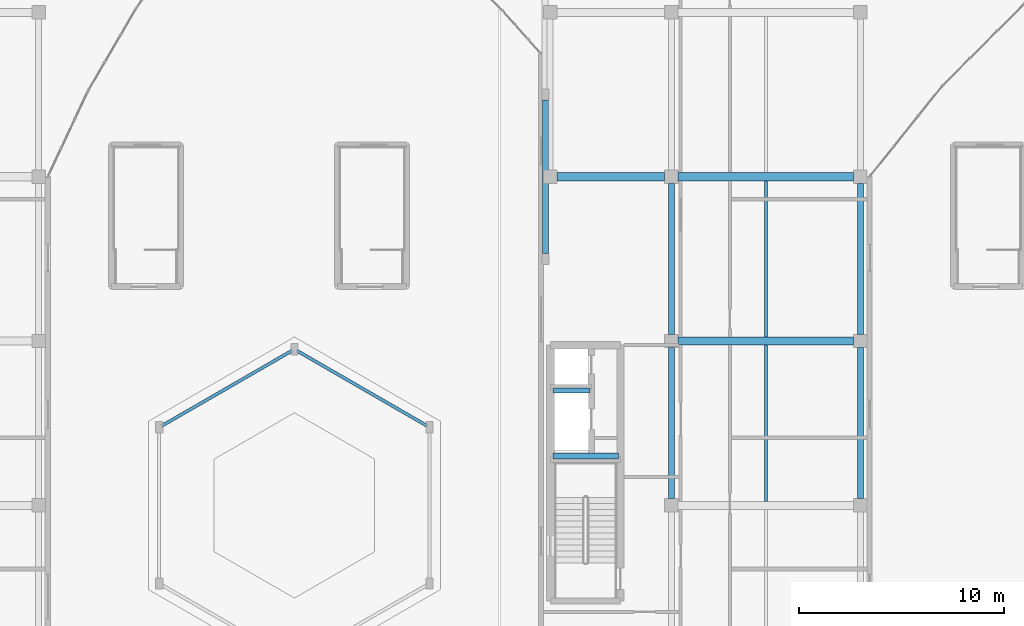
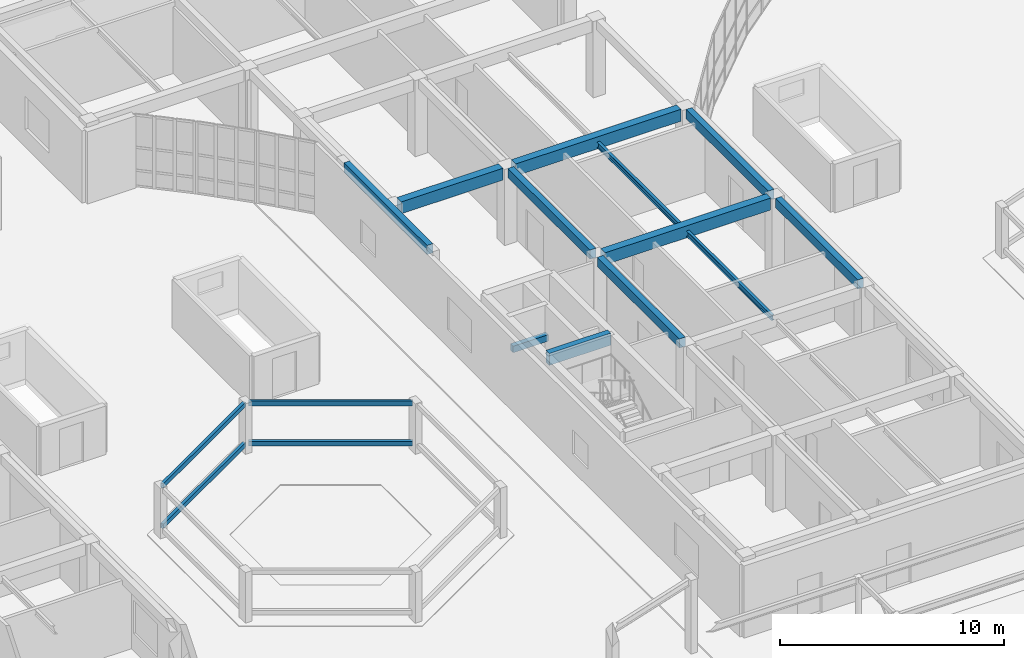
# One storey, part 28 of 114: 12 beams, 4 members.
"""IFC4 building model written with IfcOpenShell, lengths in metres."""

from ifc_helpers import new_model, si_unit, direction, frame, origin, origin_2d, place, context, subcontext, project, spatial, rectangle, hollow_rectangle, i_section, extrude, material, material_profile, profile_set, type_object, element, save


model = new_model("IFC4")

# Units and contexts
model_context = context("Model", 3, precision=1e-05, world=origin(), true_north=direction((0.0, 1.0)))
body_context = subcontext(model_context, "Body", "Model", "MODEL_VIEW")
ifc_project = project(units=[si_unit("LENGTHUNIT", "METRE"), si_unit("AREAUNIT", "SQUARE_METRE"), si_unit("VOLUMEUNIT", "CUBIC_METRE"), si_unit("PLANEANGLEUNIT", "RADIAN"), si_unit("MASSUNIT", "GRAM", prefix="KILO")], contexts=[model_context])

# Site, building, storey
site_placement = place(None, origin())
site = spatial("IfcSite", under=ifc_project, at=site_placement, CompositionType="ELEMENT")
building_placement = place(site_placement, origin())
building = spatial("IfcBuilding", under=site, at=building_placement, Name="Keldmere Railside Commons", CompositionType="ELEMENT")
storey_placement = place(building_placement, origin())
storey = spatial("IfcBuildingStorey", under=building, at=storey_placement, Name="L00", CompositionType="ELEMENT", Elevation=0.0)

# Members
ifc_material_1 = material(Name="Steel F-36 (S355)", Category="steel")
ifc_material_profile_1 = material_profile(ifc_material_1, hollow_rectangle(XDim=0.14990234375, YDim=0.25, WallThickness=0.010009765625, at=origin_2d()), Name="RHS-250x150x10")
ifc_profile_set_1 = profile_set([ifc_material_profile_1], Name="Steel F-36 (S355)")
member_type = type_object("IfcMemberType", Name="Balcony Continuous Planted Trough RHS250x150", PredefinedType="CHORD", material=ifc_profile_set_1)
for number, where, z_axis, x_axis, name in (
    (1, (42.47802734375, 75.860107421875, 0.449951171875), (-0.866032022822, 0.499988535315, 0.0), (-0.499988535315, -0.866032022822, 0.0), "PLT-1 MEM-HEXPLT-0063"),
    (2, (42.47802734375, 75.860107421875, 2.64990234375), (-0.866032022822, 0.499988535315, 0.0), (-0.499988535315, -0.866032022822, 0.0), "PLT-1 MEM-HEXPLT-0064"),
    (3, (35.89599609375, 79.5400390625, 0.449951171875), (-0.866032022822, -0.499988535315, 0.0), (0.499988535315, -0.866032022822, 0.0), "PLT-1 MEM-HEXPLT-0065"),
    (4, (35.89599609375, 79.5400390625, 2.64990234375), (-0.866032022822, -0.499988535315, 0.0), (0.499988535315, -0.866032022822, 0.0), "PLT-1 MEM-HEXPLT-0066"),
):
    element("IfcMember", number, at=place(storey_placement, frame(where, z_axis=z_axis, x_axis=x_axis)), inside=storey, type_object=member_type, Name=name, PredefinedType="CHORD", context=body_context, shape_type="SweptSolid", body=[
        extrude(hollow_rectangle(XDim=0.14990234375, YDim=0.25, WallThickness=0.010009765625, at=origin_2d()), origin(), (0.0, 0.0, 1.0), 7.360107421875),
    ])

# Beams
ifc_material_2 = material(Name="Concrete H-35 (C35/45)", Category="concrete")
ifc_material_profile_2 = material_profile(ifc_material_2, rectangle(XDim=0.300048828125, YDim=0.64990234375, at=origin_2d()), Name="RC-300x650")
ifc_profile_set_2 = profile_set([ifc_material_profile_2], Name="Concrete H-35 (C35/45)")
beam_type_1 = type_object("IfcBeamType", Name="Core Coupling RC Beam 300x650", PredefinedType="BEAM", material=ifc_profile_set_2)
beam_1_placement = place(storey_placement, frame((48.590087890625, 74.39990234375, 3.8349609375), z_axis=(1.0, 0.0, 0.0), x_axis=(0.0, 1.0, 0.0)))
element("IfcBeam", 5, at=beam_1_placement, inside=storey, type_object=beam_type_1, Name="CB-1 BM-L00-2547", PredefinedType="BEAM", context=body_context, shape_type="SweptSolid", body=[
    extrude(rectangle(XDim=0.300048828125, YDim=0.64990234375, at=origin_2d()), origin(), (0.0, 0.0, 1.0), 3.18994140625),
])
ifc_material_3 = material(Name="Concrete H-30 (C30/37)", Category="concrete")
ifc_material_profile_3 = material_profile(ifc_material_3, rectangle(XDim=0.25, YDim=0.35009765625, at=origin_2d()), Name="RC-250x350")
ifc_profile_set_3 = profile_set([ifc_material_profile_3], Name="Concrete H-30 (C30/37)")
beam_type_2 = type_object("IfcBeamType", Name="Masonry Opening RC Lintel 250x350", PredefinedType="LINTEL", material=ifc_profile_set_3)
beam_2_placement = place(storey_placement, frame((48.590087890625, 77.60009765625, 2.425048828125), z_axis=(1.0, 0.0, 0.0), x_axis=(0.0, 1.0, 0.0)))
element("IfcBeam", 6, at=beam_2_placement, inside=storey, type_object=beam_type_2, Name="LNT-1 BM-L00-2548", PredefinedType="LINTEL", context=body_context, shape_type="SweptSolid", body=[
    extrude(rectangle(XDim=0.25, YDim=0.35009765625, at=origin_2d()), origin(), (0.0, 0.0, 1.0), 1.809814453125),
])
ifc_material_profile_4 = material_profile(ifc_material_1, i_section(OverallWidth=0.14990234375, OverallDepth=0.300048828125, WebThickness=0.007080078125, FlangeThickness=0.0107421875, at=origin_2d()), Name="IPE-300")
ifc_profile_set_4 = profile_set([ifc_material_profile_4], Name="Steel F-36 (S355)")
beam_type_3 = type_object("IfcBeamType", Name="Podium & Arcade Steel Joist IPE300", PredefinedType="JOIST", material=ifc_profile_set_4)
for number, where, z_axis, x_axis, name in (
    (7, (58.949951171875, 72.199951171875, 3.739990234375), (0.0, 1.0, 0.0), (-1.0, 0.0, 0.0), "JST-1 BM-L00-0703"),
    (8, (58.949951171875, 80.199951171875, 3.739990234375), (0.0, 1.0, 0.0), (-1.0, 0.0, 0.0), "JST-1 BM-L00-0706"),
):
    element("IfcBeam", number, at=place(storey_placement, frame(where, z_axis=z_axis, x_axis=x_axis)), inside=storey, type_object=beam_type_3, Name=name, PredefinedType="JOIST", context=body_context, shape_type="SweptSolid", body=[
        extrude(i_section(OverallWidth=0.14990234375, OverallDepth=0.300048828125, WebThickness=0.007080078125, FlangeThickness=0.0107421875, at=origin_2d()), origin(), (0.0, 0.0, 1.0), 7.60009765625),
    ])
ifc_material_profile_5 = material_profile(ifc_material_3, rectangle(XDim=0.39990234375, YDim=0.64990234375, at=origin_2d()), Name="RC-400x650")
ifc_profile_set_5 = profile_set([ifc_material_profile_5], Name="Concrete H-30 (C30/37)")
beam_type_4 = type_object("IfcBeamType", Name="Residential Spine RC Girder 400x650", PredefinedType="BEAM", material=ifc_profile_set_5)
beam_3_placement = place(storey_placement, frame((54.675048828125, 80.0, 3.8349609375), z_axis=(1.0, 0.0, 0.0), x_axis=(0.0, 1.0, 0.0)))
element("IfcBeam", 9, at=beam_3_placement, inside=storey, type_object=beam_type_4, Name="BG-3 BM-L00-0480", PredefinedType="BEAM", context=body_context, shape_type="SweptSolid", body=[
    extrude(rectangle(XDim=0.39990234375, YDim=0.64990234375, at=origin_2d()), origin(), (0.0, 0.0, 1.0), 8.550048828125),
])
beam_4_placement = place(storey_placement, frame((48.77490234375, 88.0, 3.8349609375), z_axis=(1.0, 0.0, 0.0), x_axis=(0.0, 1.0, 0.0)))
element("IfcBeam", 10, at=beam_4_placement, inside=storey, type_object=beam_type_4, Name="BG-3 BM-L00-0485", PredefinedType="BEAM", context=body_context, shape_type="SweptSolid", body=[
    extrude(rectangle(XDim=0.39990234375, YDim=0.64990234375, at=origin_2d()), origin(), (0.0, 0.0, 1.0), 5.25),
])
beam_5_placement = place(storey_placement, frame((54.675048828125, 88.0, 3.8349609375), z_axis=(1.0, 0.0, 0.0), x_axis=(0.0, 1.0, 0.0)))
element("IfcBeam", 11, at=beam_5_placement, inside=storey, type_object=beam_type_4, Name="BG-3 BM-L00-0486", PredefinedType="BEAM", context=body_context, shape_type="SweptSolid", body=[
    extrude(rectangle(XDim=0.39990234375, YDim=0.64990234375, at=origin_2d()), origin(), (0.0, 0.0, 1.0), 8.550048828125),
])
ifc_material_profile_6 = material_profile(ifc_material_3, rectangle(XDim=0.300048828125, YDim=0.5, at=origin_2d()), Name="RC-300x500")
ifc_profile_set_6 = profile_set([ifc_material_profile_6], Name="Concrete H-30 (C30/37)")
beam_type_5 = type_object("IfcBeamType", Name="Secondary Frame RC Beam 300x500", PredefinedType="BEAM", material=ifc_profile_set_6)
beam_6_placement = place(storey_placement, frame((48.219970703125, 84.27490234375, 3.909912109375), z_axis=(0.0, 1.0, 0.0), x_axis=(-1.0, 0.0, 0.0)))
element("IfcBeam", 12, at=beam_6_placement, inside=storey, type_object=beam_type_5, Name="BG-5 BM-L00-0584", PredefinedType="BEAM", context=body_context, shape_type="SweptSolid", body=[
    extrude(rectangle(XDim=0.300048828125, YDim=0.5, at=origin_2d()), origin(), (0.0, 0.0, 1.0), 7.4501953125),
])
for number, where, z_axis, x_axis, name in (
    (13, (54.35009765625, 72.324951171875, 3.909912109375), (0.0, 1.0, 0.0), (-1.0, 0.0, 0.0), "BG-5 BM-L00-0592"),
    (14, (54.35009765625, 80.324951171875, 3.909912109375), (0.0, 1.0, 0.0), (-1.0, 0.0, 0.0), "BG-5 BM-L00-0593"),
    (15, (63.550048828125, 72.324951171875, 3.909912109375), (0.0, 1.0, 0.0), (-1.0, 0.0, 0.0), "BG-5 BM-L00-0598"),
    (16, (63.550048828125, 80.324951171875, 3.909912109375), (0.0, 1.0, 0.0), (-1.0, 0.0, 0.0), "BG-5 BM-L00-0599"),
):
    element("IfcBeam", number, at=place(storey_placement, frame(where, z_axis=z_axis, x_axis=x_axis)), inside=storey, type_object=beam_type_5, Name=name, PredefinedType="BEAM", context=body_context, shape_type="SweptSolid", body=[
        extrude(rectangle(XDim=0.300048828125, YDim=0.5, at=origin_2d()), origin(), (0.0, 0.0, 1.0), 7.35009765625),
    ])

save(model, "model.ifc")
